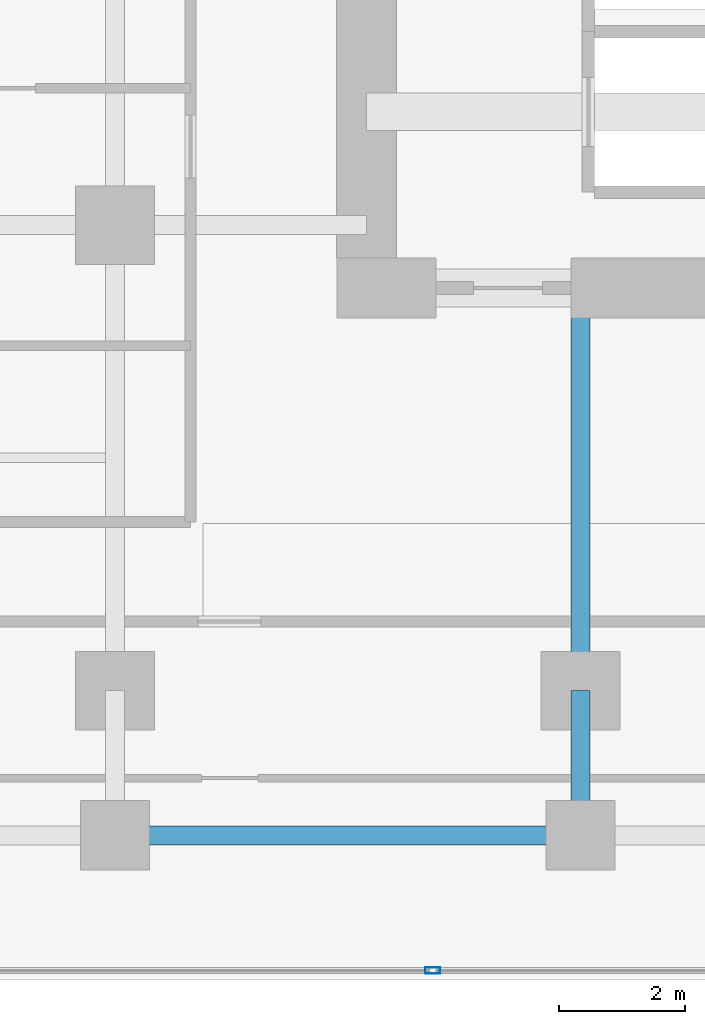
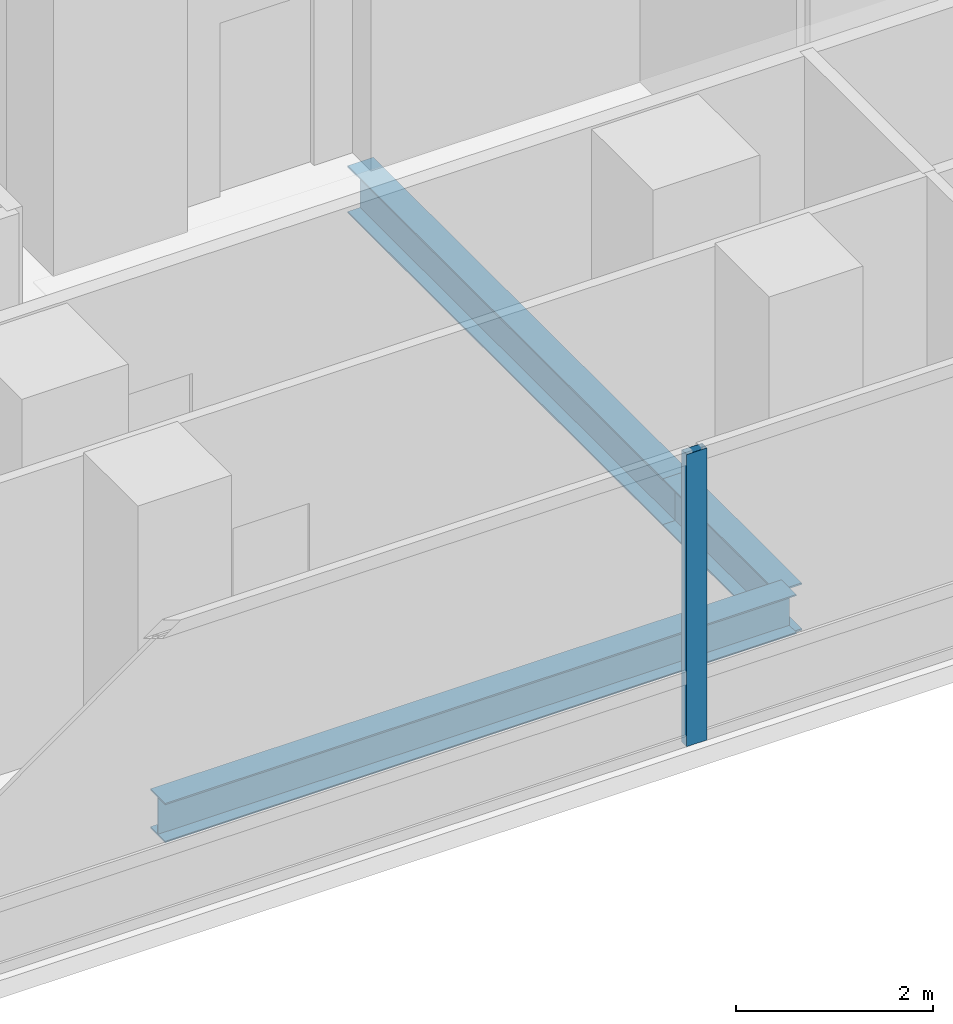
# One storey, part 4 of 28: 3 beams, 1 member, 1 element without a shape of its own.
"""IFC4 building model written with IfcOpenShell, lengths in metres."""

from ifc_helpers import new_model, si_unit, direction, frame, origin, origin_2d, place, context, subcontext, project, spatial, hollow_rectangle, i_section, extrude, material, layer, layer_set, material_profile, profile_set, type_object, element, aggregate, save


model = new_model("IFC4")

# Units and contexts
model_context = context("Model", 3, precision=1e-05, world=origin(), true_north=direction((0.0, 1.0)))
body_context = subcontext(model_context, "Body", "Model", "MODEL_VIEW")
ifc_project = project(units=[si_unit("LENGTHUNIT", "METRE"), si_unit("AREAUNIT", "SQUARE_METRE"), si_unit("VOLUMEUNIT", "CUBIC_METRE"), si_unit("PLANEANGLEUNIT", "RADIAN"), si_unit("MASSUNIT", "GRAM", prefix="KILO")], contexts=[model_context])

# Site, building, storey
site_placement = place(None, origin())
site = spatial("IfcSite", under=ifc_project, at=site_placement, CompositionType="ELEMENT")
building_placement = place(site_placement, origin())
building = spatial("IfcBuilding", under=site, at=building_placement, Name="Khorvyn Point Tower", CompositionType="ELEMENT")
storey_placement = place(building_placement, frame((0.0, 0.0, 104.699951171875)))
storey = spatial("IfcBuildingStorey", under=building, at=storey_placement, Name="L26", CompositionType="ELEMENT", Elevation=104.699951171875)

# Curtain wall, member
ifc_material_1 = material(Name="Anodised aluminium 6063-T6 and laminated Low-E glass", Category="aluminium")
ifc_layer = layer(ifc_material_1, 0.18994140625)
ifc_layer_set = layer_set([ifc_layer], Name="Stick-Built Finned Residential Curtain Wall CW-SYS-02")
curtain_wall_type = type_object("IfcCurtainWallType", Name="Stick-Built Finned Residential Curtain Wall CW-SYS-02", PredefinedType="NOTDEFINED", material=ifc_layer_set)
curtain_wall_placement = place(storey_placement, origin())
curtain_wall = element("IfcCurtainWall", 1, at=curtain_wall_placement, inside=storey, type_object=curtain_wall_type, Name="Curtain Wall", PredefinedType="NOTDEFINED")
ifc_material_2 = material(Name="Anodised aluminium 6063-T6", Category="aluminium")
ifc_material_profile_1 = material_profile(ifc_material_2, hollow_rectangle(XDim=0.10009765625, YDim=0.239990234375, WallThickness=0.0048828125, at=origin_2d()))
ifc_profile_set_1 = profile_set([ifc_material_profile_1], Name="Anodised aluminium 6063-T6 ALU-MUL-100x240")
member_type = type_object("IfcMemberType", Name="Anodised Aluminium 6063-T6 Mullion ALU-MUL-100x240", PredefinedType="MULLION", material=ifc_profile_set_1)
member_placement = place(storey_placement, frame((-9.75, -19.25, 0.0), z_axis=(0.0, 0.0, 1.0), x_axis=(0.0, -1.0, 0.0)))
member = element("IfcMember", 2, at=member_placement, type_object=member_type, Name="Transom", PredefinedType="MULLION", context=body_context, shape_type="SweptSolid", body=[
    extrude(hollow_rectangle(XDim=0.10009765625, YDim=0.239990234375, WallThickness=0.0048828125, at=origin_2d()), origin(), (0.0, 0.0, 1.0), 3.6201171875),
])
aggregate(curtain_wall, [member])

# Beams
ifc_material_3 = material(Name="Steel S355", Category="steel")
ifc_material_profile_2 = material_profile(ifc_material_3, i_section(OverallWidth=0.300048828125, OverallDepth=0.587890625, WebThickness=0.011962890625, FlangeThickness=0.02001953125, at=origin_2d()))
ifc_profile_set_2 = profile_set([ifc_material_profile_2], Name="Steel S355 H588x300x12x20")
beam_type_1 = type_object("IfcBeamType", Name="Steel S355 Beam H588x300x12x20", PredefinedType="BEAM", material=ifc_profile_set_2)
beam_1_placement = place(storey_placement, frame((-7.39990234375, -17.10009765625, -0.513916015625), z_axis=(0.0, 1.0, 0.0), x_axis=(-1.0, 0.0, 0.0)))
element("IfcBeam", 3, at=beam_1_placement, inside=storey, type_object=beam_type_1, Name="Beam", PredefinedType="BEAM", context=body_context, shape_type="SweptSolid", body=[
    extrude(i_section(OverallWidth=0.300048828125, OverallDepth=0.587890625, WebThickness=0.011962890625, FlangeThickness=0.02001953125, at=origin_2d()), origin(), (0.0, 0.0, 1.0), 2.300048828125),
])
beam_2_placement = place(storey_placement, frame((-7.39990234375, -14.800048828125, -0.513916015625), z_axis=(0.0, 1.0, 0.0), x_axis=(-1.0, 0.0, 0.0)))
element("IfcBeam", 4, at=beam_2_placement, inside=storey, type_object=beam_type_1, Name="Beam", PredefinedType="BEAM", context=body_context, shape_type="SweptSolid", body=[
    extrude(i_section(OverallWidth=0.300048828125, OverallDepth=0.587890625, WebThickness=0.011962890625, FlangeThickness=0.02001953125, at=origin_2d()), origin(), (0.0, 0.0, 1.0), 6.400146484375),
])
ifc_material_profile_3 = material_profile(ifc_material_3, i_section(OverallWidth=0.300048828125, OverallDepth=0.488037109375, WebThickness=0.010986328125, FlangeThickness=0.01806640625, at=origin_2d()))
ifc_profile_set_3 = profile_set([ifc_material_profile_3], Name="Steel S355 H488x300x11x18")
beam_type_2 = type_object("IfcBeamType", Name="Steel S355 Spandrel H488x300x11x18", PredefinedType="SPANDREL", material=ifc_profile_set_3)
beam_3_placement = place(storey_placement, frame((-14.800048828125, -17.10009765625, -0.4638671875), z_axis=(1.0, 0.0, 0.0), x_axis=(0.0, 1.0, 0.0)))
element("IfcBeam", 5, at=beam_3_placement, inside=storey, type_object=beam_type_2, Name="Beam", PredefinedType="SPANDREL", context=body_context, shape_type="SweptSolid", body=[
    extrude(i_section(OverallWidth=0.300048828125, OverallDepth=0.488037109375, WebThickness=0.010986328125, FlangeThickness=0.01806640625, at=origin_2d()), origin(), (0.0, 0.0, 1.0), 7.400146484375),
])

save(model, "model.ifc")
